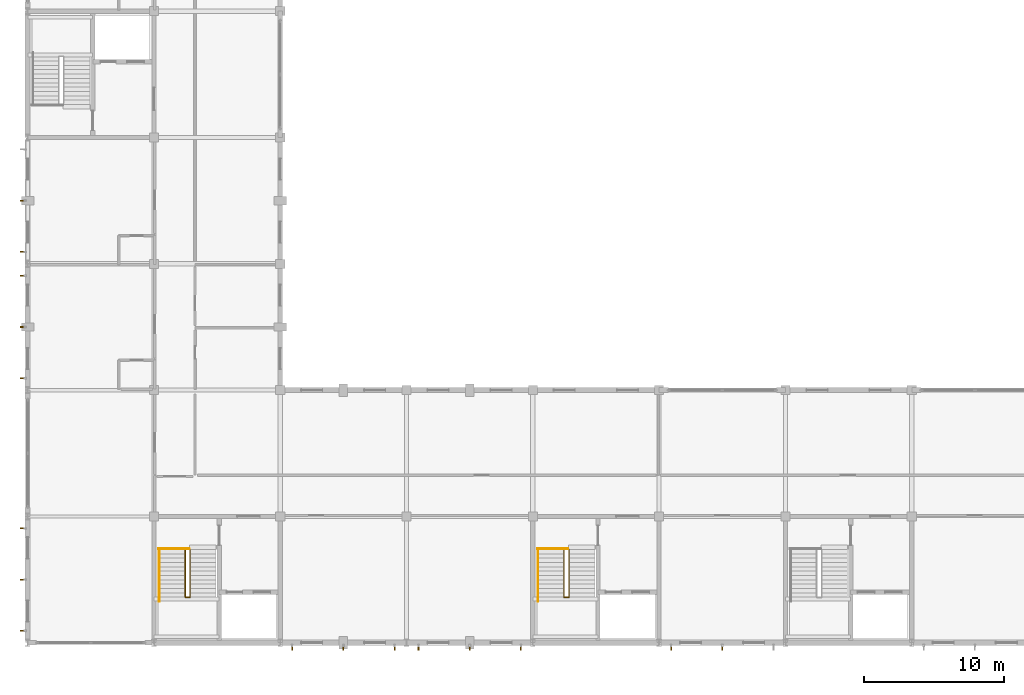
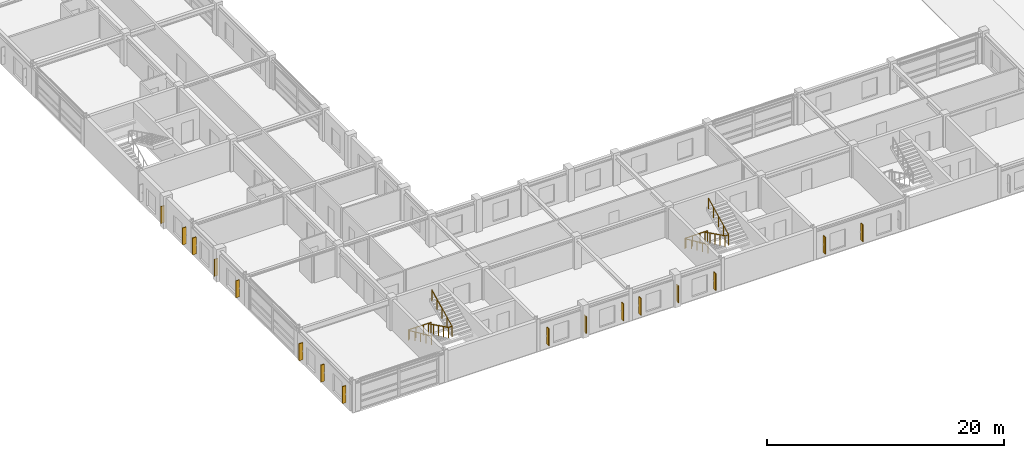
# One storey, part 86 of 91: 16 shading devices, 6 railings.
"""IFC4 building model written with IfcOpenShell, lengths in metres."""

from ifc_helpers import new_model, si_unit, direction, frame, origin, origin_2d, place, context, subcontext, project, spatial, rectangle, circle, extrude, material, type_object, element, save


model = new_model("IFC4")

# Units and contexts
model_context = context("Model", 3, precision=1e-05, world=origin(), true_north=direction((0.0, 1.0)))
body_context = subcontext(model_context, "Body", "Model", "MODEL_VIEW")
ifc_project = project(units=[si_unit("LENGTHUNIT", "METRE"), si_unit("AREAUNIT", "SQUARE_METRE"), si_unit("VOLUMEUNIT", "CUBIC_METRE"), si_unit("PLANEANGLEUNIT", "RADIAN"), si_unit("MASSUNIT", "GRAM", prefix="KILO")], contexts=[model_context])

# Site, building, storey
site_placement = place(None, origin())
site = spatial("IfcSite", under=ifc_project, at=site_placement, CompositionType="ELEMENT")
building_placement = place(site_placement, origin())
building = spatial("IfcBuilding", under=site, at=building_placement, Name="Palais des Congres Ocreval", CompositionType="ELEMENT")
storey_placement = place(building_placement, frame((0.0, 0.0, 8.159912109375)))
storey = spatial("IfcBuildingStorey", under=building, at=storey_placement, Name="L02", CompositionType="ELEMENT", Elevation=8.159912109375)

# Railings
ifc_material_1 = material(Name="Anodized bronze aluminium", Category="aluminium")
railing_type_1 = type_object("IfcRailingType", Name="Bronze Stair and Ramp Handrail 900", PredefinedType="HANDRAIL", material=ifc_material_1)
for number, where, name in (
    (1, (9.3798828125, 6.64990234375, 0.14013671875), "Stair Wall Handrail ST01 L02"),
    (2, (36.3798828125, 6.64990234375, 0.14013671875), "Stair Wall Handrail ST02 L02"),
):
    element("IfcRailing", number, at=place(storey_placement, frame(where)), inside=storey, type_object=railing_type_1, Name=name, PredefinedType="HANDRAIL", context=body_context, shape_type="SweptSolid", body=[
        extrude(circle(Radius=0.02392578125, at=origin_2d()), frame((0.0, 0.0, 0.8759765625), z_axis=(0.0, -0.911375665887, 0.411575504165), x_axis=(1.0, 0.0, 0.0)), (0.0, 0.0, 1.0), 4.081787109375),
        extrude(circle(Radius=0.02099609375, at=origin_2d()), origin(), (0.0, 0.0, 1.0), 0.851806640625),
        extrude(circle(Radius=0.02099609375, at=origin_2d()), frame((0.0, -0.929931640625, 0.419921875)), (0.0, 0.0, 1.0), 0.851806640625),
        extrude(circle(Radius=0.02099609375, at=origin_2d()), frame((0.0, -1.85986328125, 0.83984375)), (0.0, 0.0, 1.0), 0.851806640625),
        extrude(circle(Radius=0.02099609375, at=origin_2d()), frame((0.0, -2.7900390625, 1.260009765625)), (0.0, 0.0, 1.0), 0.851806640625),
        extrude(circle(Radius=0.02099609375, at=origin_2d()), frame((0.0, -3.719970703125, 1.679931640625)), (0.0, 0.0, 1.0), 0.851806640625),
    ])
ifc_material_2 = material(Name="Steel S355", Category="steel")
railing_type_2 = type_object("IfcRailingType", Name="Stairwell Steel Guardrail 1100", PredefinedType="GUARDRAIL", material=ifc_material_2)
railing_1_placement = place(storey_placement, frame((9.320068359375, 6.699951171875, 0.0)))
element("IfcRailing", 3, at=railing_1_placement, inside=storey, type_object=railing_type_2, Name="Stairwell Landing Edge Guard ST01 L02", PredefinedType="GUARDRAIL", context=body_context, shape_type="SweptSolid", body=[
    extrude(circle(Radius=0.02392578125, at=origin_2d()), frame((0.0, 0.0, 1.076171875), z_axis=(1.0, 0.0, 0.0), x_axis=(0.0, 1.0, 0.0)), (0.0, 0.0, 1.0), 2.199951171875),
    extrude(circle(Radius=0.02099609375, at=origin_2d()), origin(), (0.0, 0.0, 1.0), 1.052001953125),
    extrude(circle(Radius=0.02099609375, at=origin_2d()), frame((0.7333984375, 0.0, 0.0)), (0.0, 0.0, 1.0), 1.052001953125),
    extrude(circle(Radius=0.02099609375, at=origin_2d()), frame((1.466552734375, 0.0, 0.0)), (0.0, 0.0, 1.0), 1.052001953125),
    extrude(circle(Radius=0.02099609375, at=origin_2d()), frame((2.199951171875, 0.0, 0.0)), (0.0, 0.0, 1.0), 1.052001953125),
])
railing_2_placement = place(storey_placement, frame((11.22998046875, 6.64990234375, 0.0)))
element("IfcRailing", 4, at=railing_2_placement, inside=storey, type_object=railing_type_2, Name="Stair Inner Guardrail ST01 L02", PredefinedType="GUARDRAIL", context=body_context, shape_type="SweptSolid", body=[
    extrude(circle(Radius=0.02392578125, at=origin_2d()), frame((0.0, 0.0, 1.076171875), z_axis=(0.0, -0.897019490465, 0.441990988285), x_axis=(1.0, 0.0, 0.0)), (0.0, 0.0, 1.0), 3.80126953125),
    extrude(circle(Radius=0.02392578125, at=origin_2d()), frame((0.0, -3.409912109375, 2.75634765625), z_axis=(1.0, 0.0, 0.0), x_axis=(0.0, 1.0, 0.0)), (0.0, 0.0, 1.0), 0.340087890625),
    extrude(circle(Radius=0.02392578125, at=origin_2d()), frame((0.340087890625, -3.409912109375, 2.75634765625), z_axis=(0.0, 0.897044952961, 0.441939308465), x_axis=(-1.0, 0.0, 0.0)), (0.0, 0.0, 1.0), 3.80126953125),
    extrude(circle(Radius=0.02099609375, at=origin_2d()), origin(), (0.0, 0.0, 1.0), 1.052001953125),
    extrude(circle(Radius=0.02099609375, at=origin_2d()), frame((0.0, -0.8525390625, 0.419921875)), (0.0, 0.0, 1.0), 1.052001953125),
    extrude(circle(Radius=0.02099609375, at=origin_2d()), frame((0.0, -1.705078125, 0.840087890625)), (0.0, 0.0, 1.0), 1.052001953125),
    extrude(circle(Radius=0.02099609375, at=origin_2d()), frame((0.0, -2.557373046875, 1.26025390625)), (0.0, 0.0, 1.0), 1.052001953125),
    extrude(circle(Radius=0.02099609375, at=origin_2d()), frame((0.0, -3.409912109375, 1.68017578125)), (0.0, 0.0, 1.0), 1.052001953125),
    extrude(circle(Radius=0.02099609375, at=origin_2d()), frame((0.340087890625, -3.409912109375, 1.68017578125)), (0.0, 0.0, 1.0), 1.052001953125),
    extrude(circle(Radius=0.02099609375, at=origin_2d()), frame((0.340087890625, -2.557373046875, 2.10009765625)), (0.0, 0.0, 1.0), 1.052001953125),
    extrude(circle(Radius=0.02099609375, at=origin_2d()), frame((0.340087890625, -1.705078125, 2.52001953125)), (0.0, 0.0, 1.0), 1.052001953125),
    extrude(circle(Radius=0.02099609375, at=origin_2d()), frame((0.340087890625, -0.8525390625, 2.940185546875)), (0.0, 0.0, 1.0), 1.052001953125),
    extrude(circle(Radius=0.02099609375, at=origin_2d()), frame((0.340087890625, 0.0, 3.360107421875)), (0.0, 0.0, 1.0), 1.052001953125),
])
railing_3_placement = place(storey_placement, frame((36.320068359375, 6.699951171875, 0.0)))
element("IfcRailing", 5, at=railing_3_placement, inside=storey, type_object=railing_type_2, Name="Stairwell Landing Edge Guard ST02 L02", PredefinedType="GUARDRAIL", context=body_context, shape_type="SweptSolid", body=[
    extrude(circle(Radius=0.02392578125, at=origin_2d()), frame((0.0, 0.0, 1.076171875), z_axis=(1.0, 0.0, 0.0), x_axis=(0.0, 1.0, 0.0)), (0.0, 0.0, 1.0), 2.199951171875),
    extrude(circle(Radius=0.02099609375, at=origin_2d()), origin(), (0.0, 0.0, 1.0), 1.052001953125),
    extrude(circle(Radius=0.02099609375, at=origin_2d()), frame((0.7333984375, 0.0, 0.0)), (0.0, 0.0, 1.0), 1.052001953125),
    extrude(circle(Radius=0.02099609375, at=origin_2d()), frame((1.466552734375, 0.0, 0.0)), (0.0, 0.0, 1.0), 1.052001953125),
    extrude(circle(Radius=0.02099609375, at=origin_2d()), frame((2.199951171875, 0.0, 0.0)), (0.0, 0.0, 1.0), 1.052001953125),
])
railing_4_placement = place(storey_placement, frame((38.22998046875, 6.64990234375, 0.0)))
element("IfcRailing", 6, at=railing_4_placement, inside=storey, type_object=railing_type_2, Name="Stair Inner Guardrail ST02 L02", PredefinedType="GUARDRAIL", context=body_context, shape_type="SweptSolid", body=[
    extrude(circle(Radius=0.02392578125, at=origin_2d()), frame((0.0, 0.0, 1.076171875), z_axis=(0.0, -0.897019490465, 0.441990988285), x_axis=(1.0, 0.0, 0.0)), (0.0, 0.0, 1.0), 3.80126953125),
    extrude(circle(Radius=0.02392578125, at=origin_2d()), frame((0.0, -3.409912109375, 2.75634765625), z_axis=(1.0, 0.0, 0.0), x_axis=(0.0, 1.0, 0.0)), (0.0, 0.0, 1.0), 0.340087890625),
    extrude(circle(Radius=0.02392578125, at=origin_2d()), frame((0.340087890625, -3.409912109375, 2.75634765625), z_axis=(0.0, 0.897044952961, 0.441939308465), x_axis=(-1.0, 0.0, 0.0)), (0.0, 0.0, 1.0), 3.80126953125),
    extrude(circle(Radius=0.02099609375, at=origin_2d()), origin(), (0.0, 0.0, 1.0), 1.052001953125),
    extrude(circle(Radius=0.02099609375, at=origin_2d()), frame((0.0, -0.8525390625, 0.419921875)), (0.0, 0.0, 1.0), 1.052001953125),
    extrude(circle(Radius=0.02099609375, at=origin_2d()), frame((0.0, -1.705078125, 0.840087890625)), (0.0, 0.0, 1.0), 1.052001953125),
    extrude(circle(Radius=0.02099609375, at=origin_2d()), frame((0.0, -2.557373046875, 1.26025390625)), (0.0, 0.0, 1.0), 1.052001953125),
    extrude(circle(Radius=0.02099609375, at=origin_2d()), frame((0.0, -3.409912109375, 1.68017578125)), (0.0, 0.0, 1.0), 1.052001953125),
    extrude(circle(Radius=0.02099609375, at=origin_2d()), frame((0.340087890625, -3.409912109375, 1.68017578125)), (0.0, 0.0, 1.0), 1.052001953125),
    extrude(circle(Radius=0.02099609375, at=origin_2d()), frame((0.340087890625, -2.557373046875, 2.10009765625)), (0.0, 0.0, 1.0), 1.052001953125),
    extrude(circle(Radius=0.02099609375, at=origin_2d()), frame((0.340087890625, -1.705078125, 2.52001953125)), (0.0, 0.0, 1.0), 1.052001953125),
    extrude(circle(Radius=0.02099609375, at=origin_2d()), frame((0.340087890625, -0.8525390625, 2.940185546875)), (0.0, 0.0, 1.0), 1.052001953125),
    extrude(circle(Radius=0.02099609375, at=origin_2d()), frame((0.340087890625, 0.0, 3.360107421875)), (0.0, 0.0, 1.0), 1.052001953125),
])

# Shading devices
ifc_material_3 = material(Name="Terracotta ceramic", Category="masonry")
shading_device_type = type_object("IfcShadingDeviceType", Name="Terracotta Ceramic Brise-Soleil Fin 360", PredefinedType="JALOUSIE", material=ifc_material_3)
for number, where, z_axis, x_axis, name in (
    (7, (49.5, -0.360107421875, 0.47509765625), (0.0, 0.0, 1.0), (0.0, -1.0, 0.0), "Ceramic Celosia Sun-Fin SD01"),
    (8, (45.85009765625, -0.360107421875, 0.47509765625), (0.0, 0.0, 1.0), (0.0, -1.0, 0.0), "Ceramic Celosia Sun-Fin SD01"),
    (9, (35.14990234375, -0.360107421875, 0.47509765625), (0.0, 0.0, 1.0), (0.0, -1.0, 0.0), "Ceramic Celosia Sun-Fin SD01"),
    (10, (31.5, -0.360107421875, 0.47509765625), (0.0, 0.0, 1.0), (0.0, -1.0, 0.0), "Ceramic Celosia Sun-Fin SD01"),
    (11, (27.85009765625, -0.360107421875, 0.47509765625), (0.0, 0.0, 1.0), (0.0, -1.0, 0.0), "Ceramic Celosia Sun-Fin SD01"),
    (12, (26.14990234375, -0.360107421875, 0.47509765625), (0.0, 0.0, 1.0), (0.0, -1.0, 0.0), "Ceramic Celosia Sun-Fin SD01"),
    (13, (22.5, -0.360107421875, 0.47509765625), (0.0, 0.0, 1.0), (0.0, -1.0, 0.0), "Ceramic Celosia Sun-Fin SD01"),
    (14, (18.85009765625, -0.360107421875, 0.47509765625), (0.0, 0.0, 1.0), (0.0, -1.0, 0.0), "Ceramic Celosia Sun-Fin SD01"),
    (15, (-0.360107421875, 0.85009765625, 0.47509765625), (0.0, 0.0, 1.0), (-1.0, 0.0, 0.0), "Ceramic Celosia Sun-Fin SD01"),
    (16, (-0.360107421875, 4.5, 0.47509765625), (0.0, 0.0, 1.0), (-1.0, 0.0, 0.0), "Ceramic Celosia Sun-Fin SD01"),
    (17, (-0.360107421875, 8.14990234375, 0.47509765625), (0.0, 0.0, 1.0), (-1.0, 0.0, 0.0), "Ceramic Celosia Sun-Fin SD01"),
    (18, (-0.360107421875, 18.85009765625, 0.47509765625), (0.0, 0.0, 1.0), (-1.0, 0.0, 0.0), "Ceramic Celosia Sun-Fin SD01"),
    (19, (-0.360107421875, 22.5, 0.47509765625), (0.0, 0.0, 1.0), (-1.0, 0.0, 0.0), "Ceramic Celosia Sun-Fin SD01"),
    (20, (-0.360107421875, 26.14990234375, 0.47509765625), (0.0, 0.0, 1.0), (-1.0, 0.0, 0.0), "Ceramic Celosia Sun-Fin SD01"),
    (21, (-0.360107421875, 27.85009765625, 0.47509765625), (0.0, 0.0, 1.0), (-1.0, 0.0, 0.0), "Ceramic Celosia Sun-Fin SD01"),
    (22, (-0.360107421875, 31.5, 0.47509765625), (0.0, 0.0, 1.0), (-1.0, 0.0, 0.0), "Ceramic Celosia Sun-Fin SD01"),
):
    element("IfcShadingDevice", number, at=place(storey_placement, frame(where, z_axis=z_axis, x_axis=x_axis)), inside=storey, type_object=shading_device_type, Name=name, PredefinedType="JALOUSIE", context=body_context, shape_type="SweptSolid", body=[
        extrude(rectangle(XDim=0.360107421875, YDim=0.080078125, at=origin_2d()), origin(), (0.0, 0.0, 1.0), 1.75),
    ])

save(model, "model.ifc")
